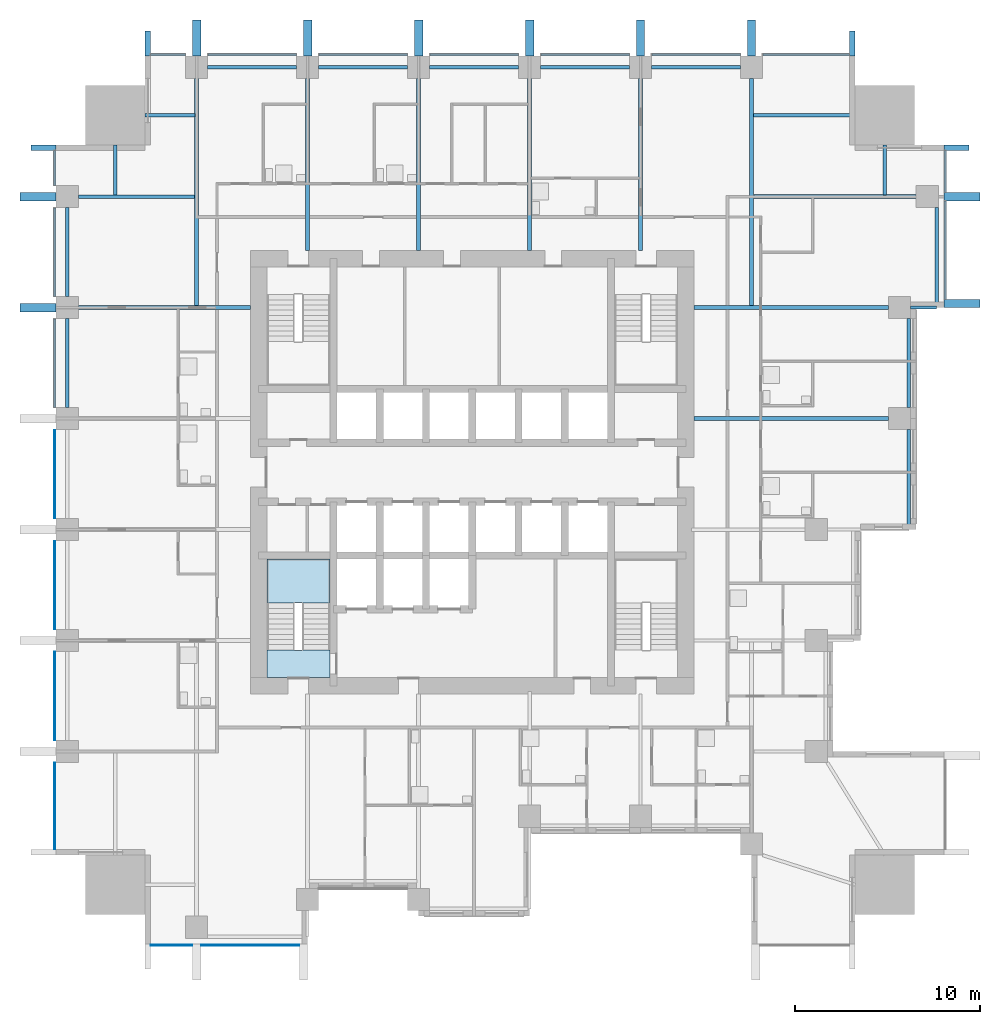
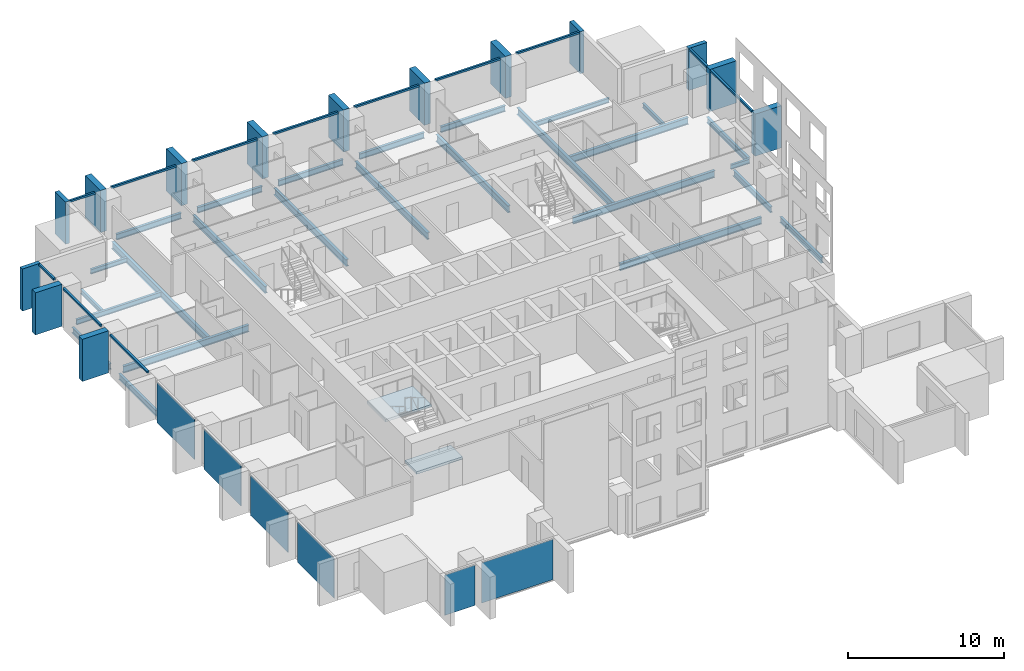
# One storey, part 2 of 11: 26 beams, 26 members, 6 plates, 2 slabs, 5 elements without a shape of their own.
"""IFC4 building model written with IfcOpenShell, lengths in metres."""

from ifc_helpers import new_model, si_unit, direction, frame, origin, origin_2d, place, context, subcontext, project, spatial, polyline, rectangle, i_section, outline, extrude, material, layer, layer_set, material_profile, profile_set, type_object, element, aggregate, save


model = new_model("IFC4")

# Units and contexts
model_context = context("Model", 3, precision=1e-05, world=origin(), true_north=direction((0.0, 1.0)))
body_context = subcontext(model_context, "Body", "Model", "MODEL_VIEW")
ifc_project = project(units=[si_unit("LENGTHUNIT", "METRE"), si_unit("AREAUNIT", "SQUARE_METRE"), si_unit("VOLUMEUNIT", "CUBIC_METRE"), si_unit("PLANEANGLEUNIT", "RADIAN"), si_unit("MASSUNIT", "GRAM", prefix="KILO")], contexts=[model_context])

# Site, building, storey
site_placement = place(None, origin())
site = spatial("IfcSite", under=ifc_project, at=site_placement, CompositionType="ELEMENT")
building_placement = place(site_placement, origin())
building = spatial("IfcBuilding", under=site, at=building_placement, Name="Amberfall Residences", CompositionType="ELEMENT")
storey_placement = place(building_placement, frame((0.0, 0.0, 43.300048828125)))
storey = spatial("IfcBuildingStorey", under=building, at=storey_placement, Name="L11", CompositionType="ELEMENT", Elevation=43.300048828125)

# Curtain wall, members
ifc_material_1 = material(Name="Bronze anodised aluminium and glass", Category="aluminium")
curtain_wall_type = type_object("IfcCurtainWallType", Name="Curtain wall CW1 tower unit", PredefinedType="USERDEFINED", material=ifc_material_1)
curtain_wall_1_placement = place(storey_placement, origin())
curtain_wall_1 = element("IfcCurtainWall", 1, at=curtain_wall_1_placement, inside=storey, type_object=curtain_wall_type, Name="Curtain wall L11 E E10", ObjectType="UNITISED CURTAIN WALL", PredefinedType="USERDEFINED")
ifc_material_2 = material(Name="Bronze anodised aluminium", Category="aluminium")
ifc_material_profile_1 = material_profile(ifc_material_2, rectangle(XDim=0.14990234375, YDim=0.14990234375, at=origin_2d()), Name="CW1 transom 150 x 150 bronze")
ifc_profile_set_1 = profile_set([ifc_material_profile_1], Name="Bronze anodised aluminium")
member_type_1 = type_object("IfcMemberType", Name="CW1 transom 150 x 150 bronze", PredefinedType="USERDEFINED", material=ifc_profile_set_1)
member_1_placement = place(storey_placement, frame((100.074951171875, 54.85009765625, 2.974853515625), z_axis=(0.0, 1.0, 0.0), x_axis=(-1.0, 0.0, 0.0)))
member_1 = element("IfcMember", 2, at=member_1_placement, type_object=member_type_1, Name="CW1 transom 1.1", ObjectType="TRANSOM", PredefinedType="USERDEFINED", context=body_context, shape_type="SweptSolid", body=[
    extrude(rectangle(XDim=0.14990234375, YDim=0.14990234375, at=origin_2d()), origin(), (0.0, 0.0, 1.0), 5.324951171875),
])
member_2_placement = place(storey_placement, frame((100.074951171875, 60.625, 2.974853515625), z_axis=(0.0, 1.0, 0.0), x_axis=(-1.0, 0.0, 0.0)))
member_2 = element("IfcMember", 3, at=member_2_placement, type_object=member_type_1, Name="CW1 transom 2.1", ObjectType="TRANSOM", PredefinedType="USERDEFINED", context=body_context, shape_type="SweptSolid", body=[
    extrude(rectangle(XDim=0.14990234375, YDim=0.14990234375, at=origin_2d()), origin(), (0.0, 0.0, 1.0), 2.27490234375),
])

curtain_wall_2_placement = place(storey_placement, origin())
curtain_wall_2 = element("IfcCurtainWall", 4, at=curtain_wall_2_placement, inside=storey, type_object=curtain_wall_type, Name="Curtain wall L11 N N1", ObjectType="UNITISED CURTAIN WALL", PredefinedType="USERDEFINED")
member_3_placement = place(storey_placement, frame((94.89990234375, 68.074951171875, 2.974853515625), z_axis=(-1.0, 0.0, 0.0), x_axis=(0.0, -1.0, 0.0)))
member_3 = element("IfcMember", 5, at=member_3_placement, type_object=member_type_1, Name="CW1 transom 1.1", ObjectType="TRANSOM", PredefinedType="USERDEFINED", context=body_context, shape_type="SweptSolid", body=[
    extrude(rectangle(XDim=0.14990234375, YDim=0.14990234375, at=origin_2d()), origin(), (0.0, 0.0, 1.0), 4.69482421875),
])
member_4_placement = place(storey_placement, frame((88.9951171875, 68.074951171875, 2.974853515625), z_axis=(-1.0, 0.0, 0.0), x_axis=(0.0, -1.0, 0.0)))
member_4 = element("IfcMember", 6, at=member_4_placement, type_object=member_type_1, Name="CW1 transom 2.1", ObjectType="TRANSOM", PredefinedType="USERDEFINED", context=body_context, shape_type="SweptSolid", body=[
    extrude(rectangle(XDim=0.14990234375, YDim=0.14990234375, at=origin_2d()), origin(), (0.0, 0.0, 1.0), 4.7900390625),
])
member_5_placement = place(storey_placement, frame((82.9951171875, 68.074951171875, 2.974853515625), z_axis=(-1.0, 0.0, 0.0), x_axis=(0.0, -1.0, 0.0)))
member_5 = element("IfcMember", 7, at=member_5_placement, type_object=member_type_1, Name="CW1 transom 3.1", ObjectType="TRANSOM", PredefinedType="USERDEFINED", context=body_context, shape_type="SweptSolid", body=[
    extrude(rectangle(XDim=0.14990234375, YDim=0.14990234375, at=origin_2d()), origin(), (0.0, 0.0, 1.0), 4.7900390625),
])
member_6_placement = place(storey_placement, frame((76.9951171875, 68.074951171875, 2.974853515625), z_axis=(-1.0, 0.0, 0.0), x_axis=(0.0, -1.0, 0.0)))
member_6 = element("IfcMember", 8, at=member_6_placement, type_object=member_type_1, Name="CW1 transom 4.1", ObjectType="TRANSOM", PredefinedType="USERDEFINED", context=body_context, shape_type="SweptSolid", body=[
    extrude(rectangle(XDim=0.14990234375, YDim=0.14990234375, at=origin_2d()), origin(), (0.0, 0.0, 1.0), 4.7900390625),
])
member_7_placement = place(storey_placement, frame((70.9951171875, 68.074951171875, 2.974853515625), z_axis=(-1.0, 0.0, 0.0), x_axis=(0.0, -1.0, 0.0)))
member_7 = element("IfcMember", 9, at=member_7_placement, type_object=member_type_1, Name="CW1 transom 5.1", ObjectType="TRANSOM", PredefinedType="USERDEFINED", context=body_context, shape_type="SweptSolid", body=[
    extrude(rectangle(XDim=0.14990234375, YDim=0.14990234375, at=origin_2d()), origin(), (0.0, 0.0, 1.0), 4.7900390625),
])
member_8_placement = place(storey_placement, frame((64.9951171875, 68.074951171875, 2.974853515625), z_axis=(-1.0, 0.0, 0.0), x_axis=(0.0, -1.0, 0.0)))
member_8 = element("IfcMember", 10, at=member_8_placement, type_object=member_type_1, Name="CW1 transom 6.1", ObjectType="TRANSOM", PredefinedType="USERDEFINED", context=body_context, shape_type="SweptSolid", body=[
    extrude(rectangle(XDim=0.14990234375, YDim=0.14990234375, at=origin_2d()), origin(), (0.0, 0.0, 1.0), 4.7900390625),
])
member_9_placement = place(storey_placement, frame((58.9951171875, 68.074951171875, 2.974853515625), z_axis=(-1.0, 0.0, 0.0), x_axis=(0.0, -1.0, 0.0)))
member_9 = element("IfcMember", 11, at=member_9_placement, type_object=member_type_1, Name="CW1 transom 7.1", ObjectType="TRANSOM", PredefinedType="USERDEFINED", context=body_context, shape_type="SweptSolid", body=[
    extrude(rectangle(XDim=0.14990234375, YDim=0.14990234375, at=origin_2d()), origin(), (0.0, 0.0, 1.0), 1.89501953125),
])

curtain_wall_3_placement = place(storey_placement, origin())
curtain_wall_3 = element("IfcCurtainWall", 12, at=curtain_wall_3_placement, inside=storey, type_object=curtain_wall_type, Name="Curtain wall L11 W W1", ObjectType="UNITISED CURTAIN WALL", PredefinedType="USERDEFINED")
member_10_placement = place(storey_placement, frame((51.925048828125, 62.89990234375, 2.974853515625), z_axis=(0.0, -1.0, 0.0), x_axis=(1.0, 0.0, 0.0)))
member_10 = element("IfcMember", 13, at=member_10_placement, type_object=member_type_1, Name="CW1 transom 1.1", ObjectType="TRANSOM", PredefinedType="USERDEFINED", context=body_context, shape_type="SweptSolid", body=[
    extrude(rectangle(XDim=0.14990234375, YDim=0.14990234375, at=origin_2d()), origin(), (0.0, 0.0, 1.0), 1.89501953125),
])
member_11_placement = place(storey_placement, frame((51.925048828125, 59.794921875, 2.974853515625), z_axis=(0.0, -1.0, 0.0), x_axis=(1.0, 0.0, 0.0)))
member_11 = element("IfcMember", 14, at=member_11_placement, type_object=member_type_1, Name="CW1 transom 2.1", ObjectType="TRANSOM", PredefinedType="USERDEFINED", context=body_context, shape_type="SweptSolid", body=[
    extrude(rectangle(XDim=0.14990234375, YDim=0.14990234375, at=origin_2d()), origin(), (0.0, 0.0, 1.0), 4.7900390625),
])
member_12_placement = place(storey_placement, frame((51.925048828125, 53.794921875, 2.974853515625), z_axis=(0.0, -1.0, 0.0), x_axis=(1.0, 0.0, 0.0)))
member_12 = element("IfcMember", 15, at=member_12_placement, type_object=member_type_1, Name="CW1 transom 3.1", ObjectType="TRANSOM", PredefinedType="USERDEFINED", context=body_context, shape_type="SweptSolid", body=[
    extrude(rectangle(XDim=0.14990234375, YDim=0.14990234375, at=origin_2d()), origin(), (0.0, 0.0, 1.0), 4.7900390625),
])

# Beam
ifc_material_3 = material(Name="Steel S355", Category="steel")
ifc_material_profile_2 = material_profile(ifc_material_3, i_section(OverallWidth=0.171142578125, OverallDepth=0.351318359375, WebThickness=0.007080078125, FlangeThickness=0.009765625, FilletRadius=0.01025390625, at=origin_2d()), Name="UB 356x171x45")
ifc_profile_set_2 = profile_set([ifc_material_profile_2], Name="Steel S355")
beam_type_1 = type_object("IfcBeamType", Name="Cantilever girder UB 356x171x45", PredefinedType="BEAM", material=ifc_profile_set_2)
beam_1_placement = place(storey_placement, frame((98.199951171875, 54.39990234375, -0.42578125), z_axis=(1.0, 0.0, 0.0), x_axis=(0.0, 1.0, 0.0)))
element("IfcBeam", 16, at=beam_1_placement, inside=storey, type_object=beam_type_1, Name="Cantilever girder B8 L11 21", PredefinedType="BEAM", context=body_context, shape_type="SweptSolid", body=[
    extrude(i_section(OverallWidth=0.171142578125, OverallDepth=0.351318359375, WebThickness=0.007080078125, FlangeThickness=0.009765625, FilletRadius=0.01025390625, at=origin_2d()), origin(), (0.0, 0.0, 1.0), 1.400146484375),
])

# Member
ifc_material_profile_3 = material_profile(ifc_material_2, rectangle(XDim=1.35009765625, YDim=0.300048828125, at=origin_2d()), Name="Corner fin 300 x 1350 bronze")
ifc_profile_set_3 = profile_set([ifc_material_profile_3], Name="Bronze anodised aluminium")
member_type_2 = type_object("IfcMemberType", Name="Corner fin 300 x 1350 bronze", PredefinedType="MULLION", material=ifc_profile_set_3)
member_13_placement = place(storey_placement, frame((100.675048828125, 63.050048828125, -0.25), z_axis=(0.0, 0.0, 1.0), x_axis=(-1.0, 0.0, 0.0)))
member_13 = element("IfcMember", 17, at=member_13_placement, type_object=member_type_2, Name="CW FIN 3", PredefinedType="MULLION", context=body_context, shape_type="SweptSolid", body=[
    extrude(rectangle(XDim=1.35009765625, YDim=0.300048828125, at=origin_2d()), origin(), (0.0, 0.0, 1.0), 3.300048828125),
])

member_14_placement = place(storey_placement, frame((95.050048828125, 68.675048828125, -0.25), z_axis=(0.0, 0.0, 1.0), x_axis=(0.0, -1.0, 0.0)))
member_14 = element("IfcMember", 18, at=member_14_placement, type_object=member_type_2, Name="CW FIN 1", PredefinedType="MULLION", context=body_context, shape_type="SweptSolid", body=[
    extrude(rectangle(XDim=1.35009765625, YDim=0.300048828125, at=origin_2d()), origin(), (0.0, 0.0, 1.0), 3.300048828125),
])

member_15_placement = place(storey_placement, frame((56.949951171875, 68.675048828125, -0.25), z_axis=(0.0, 0.0, 1.0), x_axis=(0.0, -1.0, 0.0)))
member_15 = element("IfcMember", 19, at=member_15_placement, type_object=member_type_2, Name="CW FIN 8", PredefinedType="MULLION", context=body_context, shape_type="SweptSolid", body=[
    extrude(rectangle(XDim=1.35009765625, YDim=0.300048828125, at=origin_2d()), origin(), (0.0, 0.0, 1.0), 3.300048828125),
])

member_16_placement = place(storey_placement, frame((51.324951171875, 63.050048828125, -0.25), z_axis=(0.0, 0.0, 1.0), x_axis=(1.0, 0.0, 0.0)))
member_16 = element("IfcMember", 20, at=member_16_placement, type_object=member_type_2, Name="CW FIN 1", PredefinedType="MULLION", context=body_context, shape_type="SweptSolid", body=[
    extrude(rectangle(XDim=1.35009765625, YDim=0.300048828125, at=origin_2d()), origin(), (0.0, 0.0, 1.0), 3.300048828125),
])

# Beams
ifc_material_profile_4 = material_profile(ifc_material_3, i_section(OverallWidth=0.18994140625, OverallDepth=0.453369140625, WebThickness=0.008544921875, FlangeThickness=0.0126953125, FilletRadius=0.01025390625, at=origin_2d()), Name="UB 457x191x67")
ifc_profile_set_4 = profile_set([ifc_material_profile_4], Name="Steel S355")
beam_type_2 = type_object("IfcBeamType", Name="Edge beam UB 457x191x67", PredefinedType="SPANDREL", material=ifc_profile_set_4)
beam_2_placement = place(storey_placement, frame((98.10009765625, 42.47998046875, -0.476806640625), z_axis=(0.0, 1.0, 0.0), x_axis=(-1.0, 0.0, 0.0)))
element("IfcBeam", 21, at=beam_2_placement, inside=storey, type_object=beam_type_2, Name="Edge beam B1 L11 16", PredefinedType="SPANDREL", context=body_context, shape_type="SweptSolid", body=[
    extrude(i_section(OverallWidth=0.18994140625, OverallDepth=0.453369140625, WebThickness=0.008544921875, FlangeThickness=0.0126953125, FilletRadius=0.01025390625, at=origin_2d()), origin(), (0.0, 0.0, 1.0), 5.320068359375),
])
beam_3_placement = place(storey_placement, frame((98.10009765625, 49.0, -0.476806640625), z_axis=(0.0, 1.0, 0.0), x_axis=(-1.0, 0.0, 0.0)))
element("IfcBeam", 22, at=beam_3_placement, inside=storey, type_object=beam_type_2, Name="Edge beam B1 L11 17", PredefinedType="SPANDREL", context=body_context, shape_type="SweptSolid", body=[
    extrude(i_section(OverallWidth=0.18994140625, OverallDepth=0.453369140625, WebThickness=0.008544921875, FlangeThickness=0.0126953125, FilletRadius=0.01025390625, at=origin_2d()), origin(), (0.0, 0.0, 1.0), 4.800048828125),
])
beam_4_placement = place(storey_placement, frame((99.60009765625, 54.47998046875, -0.476806640625), z_axis=(0.0, 1.0, 0.0), x_axis=(-1.0, 0.0, 0.0)))
element("IfcBeam", 23, at=beam_4_placement, inside=storey, type_object=beam_type_2, Name="Edge beam B1 L11 18", PredefinedType="SPANDREL", context=body_context, shape_type="SweptSolid", body=[
    extrude(i_section(OverallWidth=0.18994140625, OverallDepth=0.453369140625, WebThickness=0.008544921875, FlangeThickness=0.0126953125, FilletRadius=0.01025390625, at=origin_2d()), origin(), (0.0, 0.0, 1.0), 5.320068359375),
])
for number, where, z_axis, x_axis, name in (
    (24, (60.199951171875, 67.39990234375, -0.476806640625), (1.0, 0.0, 0.0), (0.0, 1.0, 0.0), "Edge beam B1 L11 28"),
    (25, (66.199951171875, 67.39990234375, -0.476806640625), (1.0, 0.0, 0.0), (0.0, 1.0, 0.0), "Edge beam B1 L11 29"),
    (26, (72.199951171875, 67.39990234375, -0.476806640625), (1.0, 0.0, 0.0), (0.0, 1.0, 0.0), "Edge beam B1 L11 30"),
    (27, (78.199951171875, 67.39990234375, -0.476806640625), (1.0, 0.0, 0.0), (0.0, 1.0, 0.0), "Edge beam B1 L11 31"),
    (28, (84.199951171875, 67.39990234375, -0.476806640625), (1.0, 0.0, 0.0), (0.0, 1.0, 0.0), "Edge beam B1 L11 32"),
    (29, (52.60009765625, 49.0, -0.476806640625), (0.0, 1.0, 0.0), (-1.0, 0.0, 0.0), "Edge beam B1 L11 42"),
    (30, (52.60009765625, 55.0, -0.476806640625), (0.0, 1.0, 0.0), (-1.0, 0.0, 0.0), "Edge beam B1 L11 43"),
):
    element("IfcBeam", number, at=place(storey_placement, frame(where, z_axis=z_axis, x_axis=x_axis)), inside=storey, type_object=beam_type_2, Name=name, PredefinedType="SPANDREL", context=body_context, shape_type="SweptSolid", body=[
        extrude(i_section(OverallWidth=0.18994140625, OverallDepth=0.453369140625, WebThickness=0.008544921875, FlangeThickness=0.0126953125, FilletRadius=0.01025390625, at=origin_2d()), origin(), (0.0, 0.0, 1.0), 4.800048828125),
    ])

# Member
ifc_material_profile_5 = material_profile(ifc_material_2, rectangle(XDim=1.949951171875, YDim=0.449951171875, at=origin_2d()), Name="Fin 450 x 1950 bronze")
ifc_profile_set_5 = profile_set([ifc_material_profile_5], Name="Bronze anodised aluminium")
member_type_3 = type_object("IfcMemberType", Name="Fin 450 x 1950 bronze", PredefinedType="MULLION", material=ifc_profile_set_5)
member_17_placement = place(storey_placement, frame((100.97509765625, 54.625, -0.25), z_axis=(0.0, 0.0, 1.0), x_axis=(-1.0, 0.0, 0.0)))
member_17 = element("IfcMember", 31, at=member_17_placement, type_object=member_type_3, Name="CW FIN 1", PredefinedType="MULLION", context=body_context, shape_type="SweptSolid", body=[
    extrude(rectangle(XDim=1.949951171875, YDim=0.449951171875, at=origin_2d()), origin(), (0.0, 0.0, 1.0), 3.300048828125),
])

member_18_placement = place(storey_placement, frame((100.97509765625, 60.39990234375, -0.25), z_axis=(0.0, 0.0, 1.0), x_axis=(-1.0, 0.0, 0.0)))
member_18 = element("IfcMember", 32, at=member_18_placement, type_object=member_type_3, Name="CW FIN 2", PredefinedType="MULLION", context=body_context, shape_type="SweptSolid", body=[
    extrude(rectangle(XDim=1.949951171875, YDim=0.449951171875, at=origin_2d()), origin(), (0.0, 0.0, 1.0), 3.300048828125),
])

aggregate(curtain_wall_1, [member_17, member_18, member_13, member_1, member_2])

member_19_placement = place(storey_placement, frame((89.60009765625, 68.97509765625, -0.25), z_axis=(0.0, 0.0, 1.0), x_axis=(0.0, -1.0, 0.0)))
member_19 = element("IfcMember", 33, at=member_19_placement, type_object=member_type_3, Name="CW FIN 2", PredefinedType="MULLION", context=body_context, shape_type="SweptSolid", body=[
    extrude(rectangle(XDim=1.949951171875, YDim=0.449951171875, at=origin_2d()), origin(), (0.0, 0.0, 1.0), 3.300048828125),
])

member_20_placement = place(storey_placement, frame((83.60009765625, 68.97509765625, -0.25), z_axis=(0.0, 0.0, 1.0), x_axis=(0.0, -1.0, 0.0)))
member_20 = element("IfcMember", 34, at=member_20_placement, type_object=member_type_3, Name="CW FIN 3", PredefinedType="MULLION", context=body_context, shape_type="SweptSolid", body=[
    extrude(rectangle(XDim=1.949951171875, YDim=0.449951171875, at=origin_2d()), origin(), (0.0, 0.0, 1.0), 3.300048828125),
])

member_21_placement = place(storey_placement, frame((77.60009765625, 68.97509765625, -0.25), z_axis=(0.0, 0.0, 1.0), x_axis=(0.0, -1.0, 0.0)))
member_21 = element("IfcMember", 35, at=member_21_placement, type_object=member_type_3, Name="CW FIN 4", PredefinedType="MULLION", context=body_context, shape_type="SweptSolid", body=[
    extrude(rectangle(XDim=1.949951171875, YDim=0.449951171875, at=origin_2d()), origin(), (0.0, 0.0, 1.0), 3.300048828125),
])

member_22_placement = place(storey_placement, frame((71.60009765625, 68.97509765625, -0.25), z_axis=(0.0, 0.0, 1.0), x_axis=(0.0, -1.0, 0.0)))
member_22 = element("IfcMember", 36, at=member_22_placement, type_object=member_type_3, Name="CW FIN 5", PredefinedType="MULLION", context=body_context, shape_type="SweptSolid", body=[
    extrude(rectangle(XDim=1.949951171875, YDim=0.449951171875, at=origin_2d()), origin(), (0.0, 0.0, 1.0), 3.300048828125),
])

member_23_placement = place(storey_placement, frame((65.60009765625, 68.97509765625, -0.25), z_axis=(0.0, 0.0, 1.0), x_axis=(0.0, -1.0, 0.0)))
member_23 = element("IfcMember", 37, at=member_23_placement, type_object=member_type_3, Name="CW FIN 6", PredefinedType="MULLION", context=body_context, shape_type="SweptSolid", body=[
    extrude(rectangle(XDim=1.949951171875, YDim=0.449951171875, at=origin_2d()), origin(), (0.0, 0.0, 1.0), 3.300048828125),
])

member_24_placement = place(storey_placement, frame((59.60009765625, 68.97509765625, -0.25), z_axis=(0.0, 0.0, 1.0), x_axis=(0.0, -1.0, 0.0)))
member_24 = element("IfcMember", 38, at=member_24_placement, type_object=member_type_3, Name="CW FIN 7", PredefinedType="MULLION", context=body_context, shape_type="SweptSolid", body=[
    extrude(rectangle(XDim=1.949951171875, YDim=0.449951171875, at=origin_2d()), origin(), (0.0, 0.0, 1.0), 3.300048828125),
])

aggregate(curtain_wall_2, [member_14, member_19, member_20, member_21, member_22, member_23, member_24, member_15, member_3, member_4, member_5, member_6, member_7, member_8, member_9])

member_25_placement = place(storey_placement, frame((51.02490234375, 60.39990234375, -0.25), z_axis=(0.0, 0.0, 1.0), x_axis=(1.0, 0.0, 0.0)))
member_25 = element("IfcMember", 39, at=member_25_placement, type_object=member_type_3, Name="CW FIN 2", PredefinedType="MULLION", context=body_context, shape_type="SweptSolid", body=[
    extrude(rectangle(XDim=1.949951171875, YDim=0.449951171875, at=origin_2d()), origin(), (0.0, 0.0, 1.0), 3.300048828125),
])

member_26_placement = place(storey_placement, frame((51.02490234375, 54.39990234375, -0.25), z_axis=(0.0, 0.0, 1.0), x_axis=(1.0, 0.0, 0.0)))
member_26 = element("IfcMember", 40, at=member_26_placement, type_object=member_type_3, Name="CW FIN 3", PredefinedType="MULLION", context=body_context, shape_type="SweptSolid", body=[
    extrude(rectangle(XDim=1.949951171875, YDim=0.449951171875, at=origin_2d()), origin(), (0.0, 0.0, 1.0), 3.300048828125),
])

# Beams
ifc_material_profile_6 = material_profile(ifc_material_3, i_section(OverallWidth=0.177734375, OverallDepth=0.402587890625, WebThickness=0.0078125, FlangeThickness=0.010986328125, FilletRadius=0.01025390625, at=origin_2d()), Name="UB 406x178x54")
ifc_profile_set_6 = profile_set([ifc_material_profile_6], Name="Steel S355")
beam_type_3 = type_object("IfcBeamType", Name="Floor girder UB 406x178x54", PredefinedType="BEAM", material=ifc_profile_set_6)
beam_5_placement = place(storey_placement, frame((53.199951171875, 60.39990234375, -0.451416015625), z_axis=(1.0, 0.0, 0.0), x_axis=(0.0, 1.0, 0.0)))
element("IfcBeam", 41, at=beam_5_placement, inside=storey, type_object=beam_type_3, Name="Floor girder B4 L11 49", PredefinedType="BEAM", context=body_context, shape_type="SweptSolid", body=[
    extrude(i_section(OverallWidth=0.177734375, OverallDepth=0.402587890625, WebThickness=0.0078125, FlangeThickness=0.010986328125, FilletRadius=0.01025390625, at=origin_2d()), origin(), (0.0, 0.0, 1.0), 6.280029296875),
])
ifc_material_profile_7 = material_profile(ifc_material_3, i_section(OverallWidth=0.210693359375, OverallDepth=0.53955078125, WebThickness=0.01171875, FlangeThickness=0.018798828125, FilletRadius=0.0126953125, at=origin_2d()), Name="UB 533x210x109")
ifc_profile_set_7 = profile_set([ifc_material_profile_7], Name="Steel S355")
beam_type_4 = type_object("IfcBeamType", Name="Floor girder UB 533x210x109", PredefinedType="BEAM", material=ifc_profile_set_7)
for number, where, z_axis, x_axis, name in (
    (42, (59.60009765625, 66.800048828125, -0.519775390625), (0.0, -1.0, 0.0), (1.0, 0.0, 0.0), "Floor girder B2 L11 33"),
    (43, (89.60009765625, 66.800048828125, -0.519775390625), (0.0, -1.0, 0.0), (1.0, 0.0, 0.0), "Floor girder B2 L11 38"),
):
    element("IfcBeam", number, at=place(storey_placement, frame(where, z_axis=z_axis, x_axis=x_axis)), inside=storey, type_object=beam_type_4, Name=name, PredefinedType="BEAM", context=body_context, shape_type="SweptSolid", body=[
        extrude(i_section(OverallWidth=0.210693359375, OverallDepth=0.53955078125, WebThickness=0.01171875, FlangeThickness=0.018798828125, FilletRadius=0.0126953125, at=origin_2d()), origin(), (0.0, 0.0, 1.0), 12.300537109375),
    ])
ifc_material_profile_8 = material_profile(ifc_material_3, i_section(OverallWidth=0.209228515625, OverallDepth=0.533203125, WebThickness=0.010009765625, FlangeThickness=0.015625, FilletRadius=0.0126953125, at=origin_2d()), Name="UB 533x210x92")
ifc_profile_set_8 = profile_set([ifc_material_profile_8], Name="Steel S355")
beam_type_5 = type_object("IfcBeamType", Name="Floor girder UB 533x210x92", PredefinedType="BEAM", material=ifc_profile_set_8)
for number, where, z_axis, x_axis, name in (
    (44, (97.0, 48.39990234375, -0.5166015625), (-1.0, 0.0, 0.0), (0.0, -1.0, 0.0), "Floor girder B3 L11 25"),
    (45, (97.0, 54.39990234375, -0.5166015625), (-1.0, 0.0, 0.0), (0.0, -1.0, 0.0), "Floor girder B3 L11 26"),
):
    element("IfcBeam", number, at=place(storey_placement, frame(where, z_axis=z_axis, x_axis=x_axis)), inside=storey, type_object=beam_type_5, Name=name, PredefinedType="BEAM", context=body_context, shape_type="SweptSolid", body=[
        extrude(i_section(OverallWidth=0.209228515625, OverallDepth=0.533203125, WebThickness=0.010009765625, FlangeThickness=0.015625, FilletRadius=0.0126953125, at=origin_2d()), origin(), (0.0, 0.0, 1.0), 10.5),
    ])
beam_6_placement = place(storey_placement, frame((98.5, 60.39990234375, -0.5166015625), z_axis=(-1.0, 0.0, 0.0), x_axis=(0.0, -1.0, 0.0)))
element("IfcBeam", 46, at=beam_6_placement, inside=storey, type_object=beam_type_5, Name="Floor girder B3 L11 27", PredefinedType="BEAM", context=body_context, shape_type="SweptSolid", body=[
    extrude(i_section(OverallWidth=0.209228515625, OverallDepth=0.533203125, WebThickness=0.010009765625, FlangeThickness=0.015625, FilletRadius=0.0126953125, at=origin_2d()), origin(), (0.0, 0.0, 1.0), 8.780029296875),
])
for number, where, z_axis, x_axis, name in (
    (47, (65.60009765625, 66.800048828125, -0.5166015625), (0.0, -1.0, 0.0), (1.0, 0.0, 0.0), "Floor girder B3 L11 34"),
    (48, (71.60009765625, 66.800048828125, -0.5166015625), (0.0, -1.0, 0.0), (1.0, 0.0, 0.0), "Floor girder B3 L11 35"),
    (49, (77.60009765625, 66.800048828125, -0.5166015625), (0.0, -1.0, 0.0), (1.0, 0.0, 0.0), "Floor girder B3 L11 36"),
    (50, (83.60009765625, 66.800048828125, -0.5166015625), (0.0, -1.0, 0.0), (1.0, 0.0, 0.0), "Floor girder B3 L11 37"),
    (51, (53.199951171875, 54.39990234375, -0.5166015625), (1.0, 0.0, 0.0), (0.0, 1.0, 0.0), "Floor girder B3 L11 48"),
):
    element("IfcBeam", number, at=place(storey_placement, frame(where, z_axis=z_axis, x_axis=x_axis)), inside=storey, type_object=beam_type_5, Name=name, PredefinedType="BEAM", context=body_context, shape_type="SweptSolid", body=[
        extrude(i_section(OverallWidth=0.209228515625, OverallDepth=0.533203125, WebThickness=0.010009765625, FlangeThickness=0.015625, FilletRadius=0.0126953125, at=origin_2d()), origin(), (0.0, 0.0, 1.0), 9.300048828125),
    ])
ifc_material_profile_9 = material_profile(ifc_material_3, i_section(OverallWidth=0.171142578125, OverallDepth=0.351318359375, WebThickness=0.007080078125, FlangeThickness=0.009765625, FilletRadius=0.01025390625, at=origin_2d()), Name="UB 356x171x45")
ifc_profile_set_9 = profile_set([ifc_material_profile_9], Name="Steel S355")
beam_type_6 = type_object("IfcBeamType", Name="Link beam UB 356x171x45", PredefinedType="BEAM", material=ifc_profile_set_9)
beam_7_placement = place(storey_placement, frame((95.199951171875, 64.800048828125, -0.42578125), z_axis=(-1.0, 0.0, 0.0), x_axis=(0.0, -1.0, 0.0)))
element("IfcBeam", 52, at=beam_7_placement, inside=storey, type_object=beam_type_6, Name="Link beam B7 L11 54", PredefinedType="BEAM", context=body_context, shape_type="SweptSolid", body=[
    extrude(i_section(OverallWidth=0.171142578125, OverallDepth=0.351318359375, WebThickness=0.007080078125, FlangeThickness=0.009765625, FilletRadius=0.01025390625, at=origin_2d()), origin(), (0.0, 0.0, 1.0), 5.504638671875),
])
beam_8_placement = place(storey_placement, frame((96.800048828125, 63.199951171875, -0.42578125), z_axis=(0.0, -1.0, 0.0), x_axis=(1.0, 0.0, 0.0)))
element("IfcBeam", 53, at=beam_8_placement, inside=storey, type_object=beam_type_6, Name="Link beam B7 L11 55", PredefinedType="BEAM", context=body_context, shape_type="SweptSolid", body=[
    extrude(i_section(OverallWidth=0.171142578125, OverallDepth=0.351318359375, WebThickness=0.007080078125, FlangeThickness=0.009765625, FilletRadius=0.01025390625, at=origin_2d()), origin(), (0.0, 0.0, 1.0), 2.705322265625),
])
beam_9_placement = place(storey_placement, frame((56.800048828125, 64.800048828125, -0.42578125), z_axis=(1.0, 0.0, 0.0), x_axis=(0.0, 1.0, 0.0)))
element("IfcBeam", 54, at=beam_9_placement, inside=storey, type_object=beam_type_6, Name="Link beam B7 L11 56", PredefinedType="BEAM", context=body_context, shape_type="SweptSolid", body=[
    extrude(i_section(OverallWidth=0.171142578125, OverallDepth=0.351318359375, WebThickness=0.007080078125, FlangeThickness=0.009765625, FilletRadius=0.01025390625, at=origin_2d()), origin(), (0.0, 0.0, 1.0), 2.70458984375),
])
beam_10_placement = place(storey_placement, frame((55.199951171875, 63.199951171875, -0.42578125), z_axis=(0.0, -1.0, 0.0), x_axis=(1.0, 0.0, 0.0)))
element("IfcBeam", 55, at=beam_10_placement, inside=storey, type_object=beam_type_6, Name="Link beam B7 L11 57", PredefinedType="BEAM", context=body_context, shape_type="SweptSolid", body=[
    extrude(i_section(OverallWidth=0.171142578125, OverallDepth=0.351318359375, WebThickness=0.007080078125, FlangeThickness=0.009765625, FilletRadius=0.01025390625, at=origin_2d()), origin(), (0.0, 0.0, 1.0), 2.720947265625),
])

# Curtain wall, plates
curtain_wall_4_placement = place(storey_placement, origin())
curtain_wall_4 = element("IfcCurtainWall", 56, at=curtain_wall_4_placement, inside=storey, type_object=curtain_wall_type, Name="Curtain wall L11 S S1", ObjectType="UNITISED CURTAIN WALL", PredefinedType="USERDEFINED")
ifc_material_4 = material(Name="Tinted double glazed unit", Category="glass")
ifc_layer_1 = layer(ifc_material_4, 0.035888671875)
ifc_layer_set_1 = layer_set([ifc_layer_1], Name="CW1 panel 36 glazing")
plate_type = type_object("IfcPlateType", Name="CW1 panel 36 glazing", PredefinedType="CURTAIN_PANEL", material=ifc_layer_set_1)
plate_1_placement = place(storey_placement, frame((58.237548828125, 19.925048828125, -0.25), z_axis=(0.0, 0.0, 1.0), x_axis=(1.0, 0.0, 0.0)))
plate_1 = element("IfcPlate", 57, at=plate_1_placement, type_object=plate_type, Name="CW1 panel 1.1", PredefinedType="CURTAIN_PANEL", context=body_context, shape_type="SweptSolid", body=[
    extrude(rectangle(XDim=2.2509765625, YDim=0.035888671875, at=origin_2d()), origin(), (0.0, 0.0, 1.0), 3.14990234375),
])
plate_2_placement = place(storey_placement, frame((62.487548828125, 19.925048828125, -0.25), z_axis=(0.0, 0.0, 1.0), x_axis=(1.0, 0.0, 0.0)))
plate_2 = element("IfcPlate", 58, at=plate_2_placement, type_object=plate_type, Name="CW1 panel 2.1", PredefinedType="CURTAIN_PANEL", context=body_context, shape_type="SweptSolid", body=[
    extrude(rectangle(XDim=5.301025390625, YDim=0.035888671875, at=origin_2d()), origin(), (0.0, 0.0, 1.0), 3.14990234375),
])
aggregate(curtain_wall_4, [plate_1, plate_2])

# Plate
plate_3_placement = place(storey_placement, frame((51.925048828125, 45.39990234375, -0.25), z_axis=(0.0, 0.0, 1.0), x_axis=(0.0, -1.0, 0.0)))
plate_3 = element("IfcPlate", 59, at=plate_3_placement, type_object=plate_type, Name="CW1 panel 4.1", PredefinedType="CURTAIN_PANEL", context=body_context, shape_type="SweptSolid", body=[
    extrude(rectangle(XDim=4.76611328125, YDim=0.035888671875, at=origin_2d()), origin(), (0.0, 0.0, 1.0), 3.14990234375),
])

plate_4_placement = place(storey_placement, frame((51.925048828125, 39.39990234375, -0.25), z_axis=(0.0, 0.0, 1.0), x_axis=(0.0, -1.0, 0.0)))
plate_4 = element("IfcPlate", 60, at=plate_4_placement, type_object=plate_type, Name="CW1 panel 5.1", PredefinedType="CURTAIN_PANEL", context=body_context, shape_type="SweptSolid", body=[
    extrude(rectangle(XDim=4.76611328125, YDim=0.035888671875, at=origin_2d()), origin(), (0.0, 0.0, 1.0), 3.14990234375),
])

plate_5_placement = place(storey_placement, frame((51.925048828125, 33.39990234375, -0.25), z_axis=(0.0, 0.0, 1.0), x_axis=(0.0, -1.0, 0.0)))
plate_5 = element("IfcPlate", 61, at=plate_5_placement, type_object=plate_type, Name="CW1 panel 6.1", PredefinedType="CURTAIN_PANEL", context=body_context, shape_type="SweptSolid", body=[
    extrude(rectangle(XDim=4.76611328125, YDim=0.035888671875, at=origin_2d()), origin(), (0.0, 0.0, 1.0), 3.14990234375),
])

plate_6_placement = place(storey_placement, frame((51.925048828125, 27.447509765625, -0.25), z_axis=(0.0, 0.0, 1.0), x_axis=(0.0, -1.0, 0.0)))
plate_6 = element("IfcPlate", 62, at=plate_6_placement, type_object=plate_type, Name="CW1 panel 7.1", PredefinedType="CURTAIN_PANEL", context=body_context, shape_type="SweptSolid", body=[
    extrude(rectangle(XDim=4.6708984375, YDim=0.035888671875, at=origin_2d()), origin(), (0.0, 0.0, 1.0), 3.14990234375),
])

aggregate(curtain_wall_3, [member_16, member_25, member_26, member_10, member_11, member_12, plate_3, plate_4, plate_5, plate_6])

# Stair, slabs
ifc_material_5 = material(Name="Concrete C40", Category="concrete")
stair_type = type_object("IfcStairType", Name="Exit stair 20 risers 165.0 mm", PredefinedType="HALF_TURN_STAIR", material=ifc_material_5)
stair_placement = place(storey_placement, origin())
stair = element("IfcStair", 63, at=stair_placement, inside=storey, type_object=stair_type, Name="L11 Exit stair 1", PredefinedType="HALF_TURN_STAIR")
ifc_layer_2 = layer(ifc_material_5, 0.199951171875)
ifc_layer_set_2 = layer_set([ifc_layer_2], Name="Stair landing 200")
slab_type = type_object("IfcSlabType", Name="Stair landing 200", PredefinedType="LANDING", material=ifc_layer_set_2)
slab_1_placement = place(storey_placement, frame((0.0, 0.0, 1.449951171875)))
slab_1 = element("IfcSlab", 64, at=slab_1_placement, type_object=slab_type, Name="ST3 landing 1", PredefinedType="LANDING", context=body_context, shape_type="SweptSolid", body=[
    extrude(outline(polyline([(66.800048828125, 38.419921875), (66.800048828125, 40.800048828125), (63.39990234375, 40.800048828125), (63.39990234375, 38.419921875), (66.800048828125, 38.419921875)])), origin(), (0.0, 0.0, 1.0), 0.199951171875),
])
slab_2_placement = place(storey_placement, frame((0.0, 0.0, -0.199951171875)))
slab_2 = element("IfcSlab", 65, at=slab_2_placement, type_object=slab_type, Name="ST3 landing 2", PredefinedType="LANDING", context=body_context, shape_type="SweptSolid", body=[
    extrude(outline(polyline([(66.800048828125, 34.39990234375), (66.800048828125, 35.89990234375), (63.39990234375, 35.89990234375), (63.39990234375, 34.39990234375), (66.800048828125, 34.39990234375)])), origin(), (0.0, 0.0, 1.0), 0.199951171875),
])
aggregate(stair, [slab_1, slab_2])

save(model, "model.ifc")
